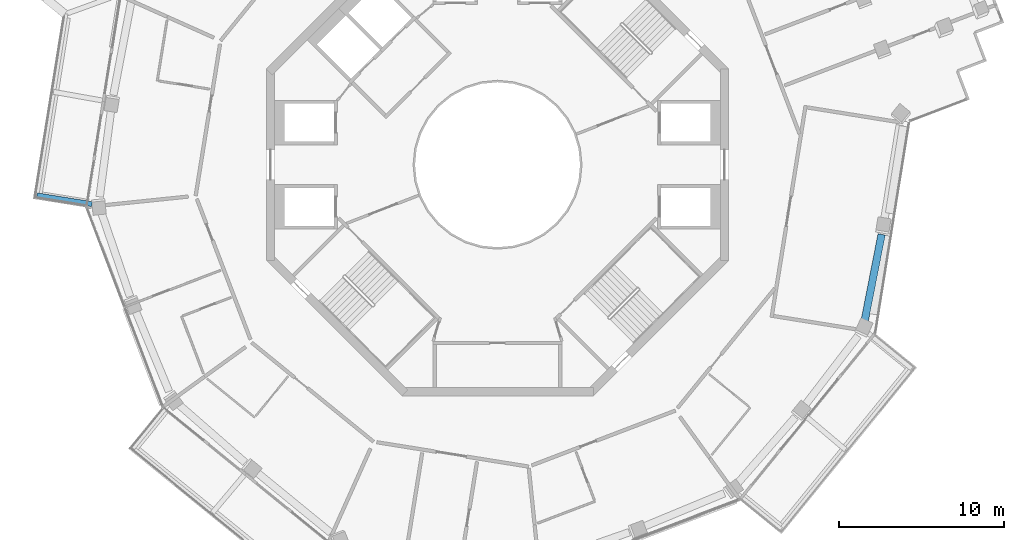
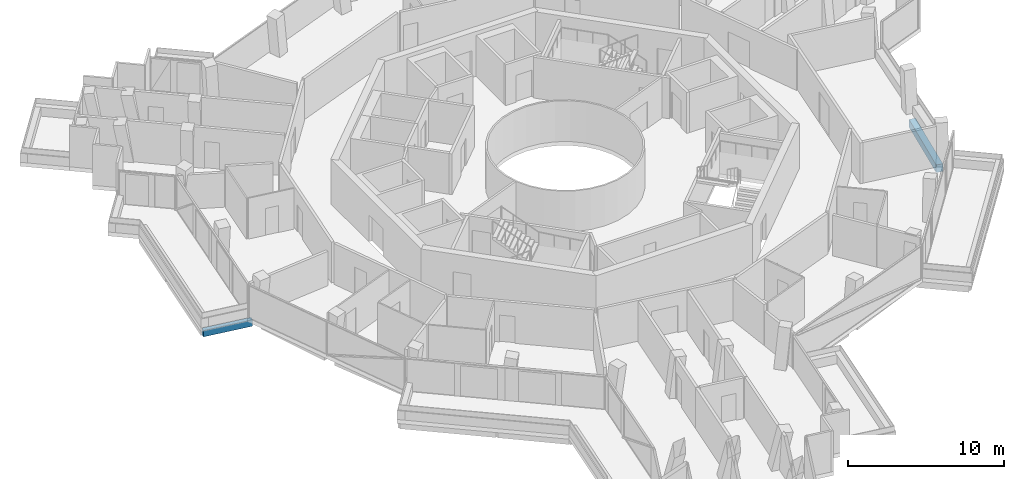
# One storey, part 5 of 23: 2 beams.
"""IFC4 building model written with IfcOpenShell, lengths in metres."""

from ifc_helpers import new_model, si_unit, direction, frame, origin, origin_2d, place, context, subcontext, project, spatial, rectangle, extrude, material, material_profile, profile_set, type_object, element, save


model = new_model("IFC4")

# Units and contexts
model_context = context("Model", 3, precision=1e-05, world=origin(), true_north=direction((0.0, 1.0)))
body_context = subcontext(model_context, "Body", "Model", "MODEL_VIEW")
ifc_project = project(units=[si_unit("LENGTHUNIT", "METRE"), si_unit("AREAUNIT", "SQUARE_METRE"), si_unit("VOLUMEUNIT", "CUBIC_METRE"), si_unit("PLANEANGLEUNIT", "RADIAN"), si_unit("MASSUNIT", "GRAM", prefix="KILO")], contexts=[model_context])

# Site, building, storey
site_placement = place(None, origin())
site = spatial("IfcSite", under=ifc_project, at=site_placement, CompositionType="ELEMENT")
building_placement = place(site_placement, origin())
building = spatial("IfcBuilding", under=site, at=building_placement, Name="Verdalira Terraces Hotel", CompositionType="ELEMENT")
storey_placement = place(building_placement, frame((0.0, 0.0, 241.0)))
storey = spatial("IfcBuildingStorey", under=building, at=storey_placement, Name="L59", CompositionType="ELEMENT", Elevation=241.0)

# Beams
ifc_material_1 = material(Name="Concrete C40", Category="concrete")
ifc_material_profile_1 = material_profile(ifc_material_1, rectangle(XDim=0.300049, YDim=0.5, at=origin_2d()), Name="RC 300X500")
ifc_profile_set_1 = profile_set([ifc_material_profile_1], Name="Concrete C40")
beam_type_1 = type_object("IfcBeamType", Name="Balcony cantilever beam RC 300X500 C40", PredefinedType="BEAM", material=ifc_profile_set_1)
beam_1_placement = place(storey_placement, frame((-24.568604, -2.386719, -0.560059), z_axis=(-0.987364311, 0.158466769, 0.0), x_axis=(-0.158466769, -0.987364311, 0.0)))
element("IfcBeam", 1, at=beam_1_placement, inside=storey, type_object=beam_type_1, Name="Balcony cantilever beam R10-3", PredefinedType="BEAM", context=body_context, shape_type="SweptSolid", body=[
    extrude(rectangle(XDim=0.300049, YDim=0.5, at=origin_2d()), origin(), (0.0, 0.0, 1.0), 3.378662),
])
ifc_material_2 = material(Name="Concrete C40", Category="concrete")
ifc_material_profile_2 = material_profile(ifc_material_2, rectangle(XDim=0.449951, YDim=0.600098, at=origin_2d()), Name="RC 450X600")
ifc_profile_set_2 = profile_set([ifc_material_profile_2], Name="Concrete C40")
beam_type_2 = type_object("IfcBeamType", Name="Spandrel beam RC 450X600 C40", PredefinedType="SPANDREL", material=ifc_profile_set_2)
beam_2_placement = place(storey_placement, frame((22.229492, -9.513184, -0.610107), z_axis=(0.192669855, 0.981263638, 0.0), x_axis=(-0.981263638, 0.192669855, 0.0)))
element("IfcBeam", 2, at=beam_2_placement, inside=storey, type_object=beam_type_2, Name="Spandrel beam B15", PredefinedType="SPANDREL", context=body_context, shape_type="SweptSolid", body=[
    extrude(rectangle(XDim=0.449951, YDim=0.600098, at=origin_2d()), origin(), (0.0, 0.0, 1.0), 5.396729),
])

save(model, "model.ifc")
